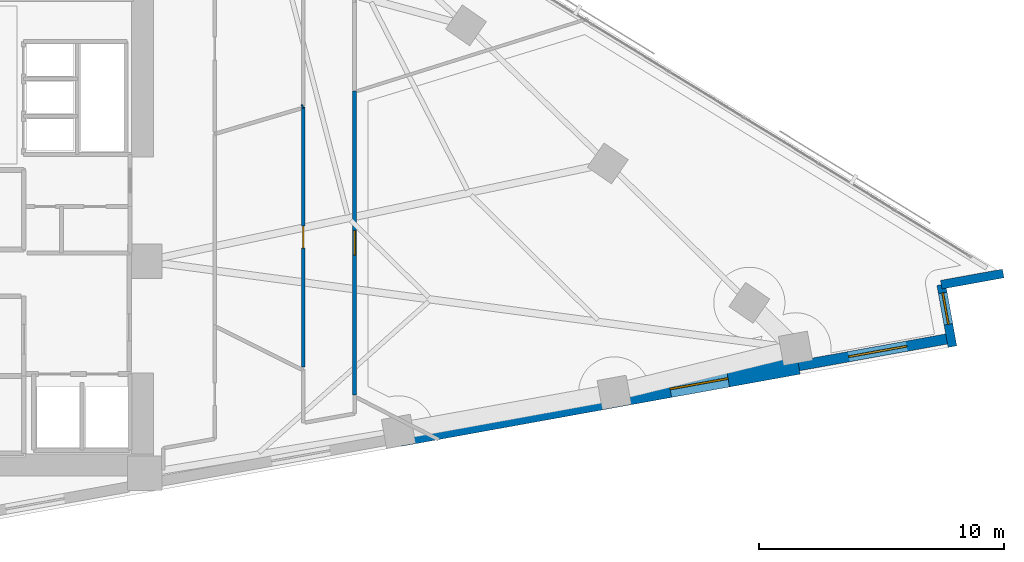
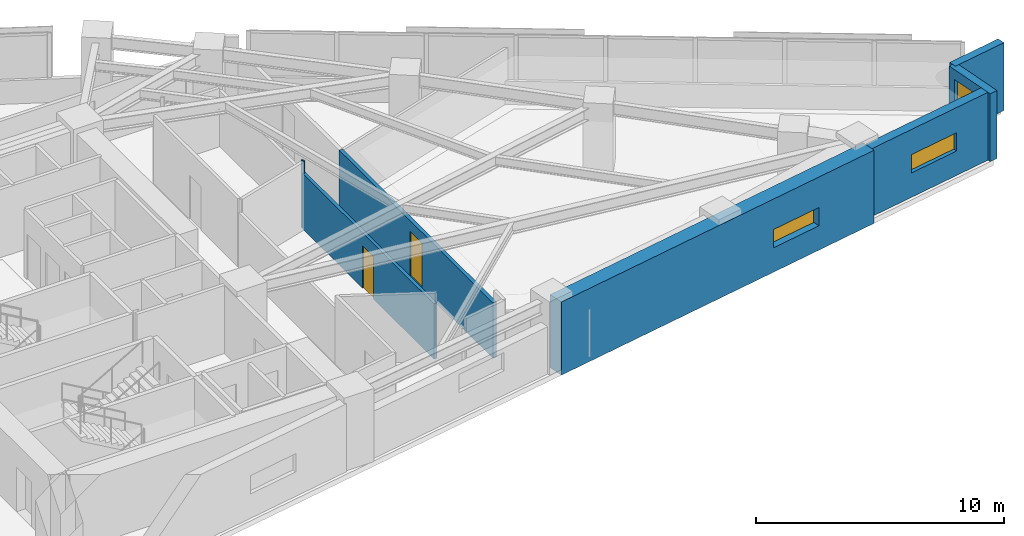
# One storey, part 16 of 19: 7 walls, 3 windows, 2 doors, 5 openings.
"""IFC4 building model written with IfcOpenShell, lengths in metres."""

from ifc_helpers import new_model, si_unit, direction, frame, frame_2d, origin, place, context, subcontext, project, spatial, rectangle, extrude, material, layer, layer_set, type_object, element, fill, save


model = new_model("IFC4")

# Units and contexts
model_context = context("Model", 3, precision=1e-05, world=origin(), true_north=direction((0.0, 1.0)))
body_context = subcontext(model_context, "Body", "Model", "MODEL_VIEW")
ifc_project = project(units=[si_unit("LENGTHUNIT", "METRE"), si_unit("AREAUNIT", "SQUARE_METRE"), si_unit("VOLUMEUNIT", "CUBIC_METRE"), si_unit("PLANEANGLEUNIT", "RADIAN"), si_unit("MASSUNIT", "GRAM", prefix="KILO")], contexts=[model_context])

# Site, building, storey
site_placement = place(None, origin())
site = spatial("IfcSite", under=ifc_project, at=site_placement, CompositionType="ELEMENT")
building_placement = place(site_placement, origin())
building = spatial("IfcBuilding", under=site, at=building_placement, Name="Narakoshi Arena Tower", CompositionType="ELEMENT")
storey_placement = place(building_placement, frame((0.0, 0.0, 117.300048828125)))
storey = spatial("IfcBuildingStorey", under=building, at=storey_placement, Name="L31", CompositionType="ELEMENT", Elevation=117.300048828125)

# Wall, opening, door
ifc_material_1 = material(Name="Gypsum plasterboard fire-rated partition")
ifc_layer_1 = layer(ifc_material_1, 0.1650390625)
ifc_layer_set_1 = layer_set([ifc_layer_1], Name="Gypsum plasterboard fire-rated partition")
wall_type_1 = type_object("IfcWallType", Name="WL-CORR-165", PredefinedType="PARTITIONING", material=ifc_layer_set_1)
wall_1_placement = place(storey_placement, frame((94.10498046875, 37.899169921875, 0.0), z_axis=(0.0, 0.0, 1.0), x_axis=(0.0, 1.0, 0.0)))
wall_1 = element("IfcWall", 1, at=wall_1_placement, inside=storey, type_object=wall_type_1, Name="L31 Corridor Partition 04-1", PredefinedType="PARTITIONING", context=body_context, shape_type="SweptSolid", body=[
    extrude(rectangle(XDim=12.382080078125, YDim=0.1650390625, at=frame_2d((6.19091796875, 0.0))), origin(), (0.0, 0.0, 1.0), 2.724853515625),
])
opening_1_placement = place(wall_1_placement, frame((5.691162109375, 0.0, 0.0)))
opening_1 = element("IfcOpeningElement", 2, at=opening_1_placement, cuts=wall_1, Name="Opening D-06", PredefinedType="OPENING", context=body_context, shape_type="SweptSolid", body=[
    extrude(rectangle(XDim=1.0, YDim=2.199951171875, at=frame_2d((0.5, 1.10009765625))), frame((0.0, 0.092529296875, 0.0), z_axis=(0.0, -1.0, 0.0), x_axis=(1.0, 0.0, 0.0)), (0.0, 0.0, 1.0), 0.18505859375),
])
ifc_material_2 = material(Name="Stained oak solid-core timber", Category="wood")
door_type_1 = type_object("IfcDoorType", Name="DR-OFF-1000", OperationType="NOTDEFINED", PredefinedType="DOOR", material=ifc_material_2)
door_1_placement = place(opening_1_placement, frame((1.0, 0.0, 0.0), z_axis=(0.0, 0.0, 1.0), x_axis=(-1.0, 0.0, 0.0)))
door_1 = element("IfcDoor", 3, at=door_1_placement, inside=storey, type_object=door_type_1, Name="DR-L31-018", OperationType="SINGLE_SWING_RIGHT", OverallHeight=2.199951171875, OverallWidth=1.0, PredefinedType="DOOR", context=body_context, shape_type="SweptSolid", body=[
    extrude(rectangle(XDim=1.0, YDim=2.199951171875, at=frame_2d((0.5, 1.10009765625))), frame((0.0, 0.02490234375, 0.0), z_axis=(0.0, -1.0, 0.0), x_axis=(1.0, 0.0, 0.0)), (0.0, 0.0, 1.0), 0.050048828125),
])
fill(opening_1, door_1)

# Wall, opening, window
ifc_material_3 = material(Name="Concrete C60/75", Category="concrete")
ifc_layer_2 = layer(ifc_material_3, 0.699951171875)
ifc_layer_set_2 = layer_set([ifc_layer_2], Name="Concrete C60/75")
wall_type_2 = type_object("IfcWallType", Name="WL-LEG-700", PredefinedType="SHEAR", material=ifc_layer_set_2)
wall_2_placement = place(storey_placement, frame((95.93798828125, 36.14599609375, -0.260009765625), z_axis=(0.0, 0.0, 1.0), x_axis=(0.984038488288, 0.177955762952, 0.0)))
wall_2 = element("IfcWall", 4, at=wall_2_placement, inside=storey, type_object=wall_type_2, Name="L31 Architectural Concrete Structural Wall LEGA-3", PredefinedType="SHEAR", context=body_context, shape_type="SweptSolid", body=[
    extrude(rectangle(XDim=16.524658203125, YDim=0.699951171875, at=frame_2d((8.26220703125, 0.0))), origin(), (0.0, 0.0, 1.0), 3.599853515625),
])
opening_2_placement = place(wall_2_placement, frame((11.199951171875, 0.0, 1.199951171875)))
opening_2 = element("IfcOpeningElement", 5, at=opening_2_placement, cuts=wall_2, Name="Opening WN-01", PredefinedType="OPENING", context=body_context, shape_type="SweptSolid", body=[
    extrude(rectangle(XDim=2.39990234375, YDim=0.89990234375, at=frame_2d((1.199951171875, 0.449951171875))), frame((0.0, 0.35986328125, 0.0), z_axis=(0.0, -1.0, 0.0), x_axis=(1.0, 0.0, 0.0)), (0.0, 0.0, 1.0), 0.719970703125),
])
ifc_material_4 = material(Name="Bronze-tinted low-E laminated glass", Category="glass")
window_type_1 = type_object("IfcWindowType", Name="WIN-SLT-24x09", PartitioningType="SINGLE_PANEL", PredefinedType="WINDOW", material=ifc_material_4)
window_1_placement = place(opening_2_placement, origin())
window_1 = element("IfcWindow", 6, at=window_1_placement, inside=storey, type_object=window_type_1, Name="L31 LEGA3 Horizontal Slot Window 1", OverallHeight=0.89990234375, OverallWidth=2.39990234375, PartitioningType="SINGLE_PANEL", PredefinedType="WINDOW", context=body_context, shape_type="SweptSolid", body=[
    extrude(rectangle(XDim=2.39990234375, YDim=0.89990234375, at=frame_2d((1.199951171875, 0.449951171875))), frame((0.0, 0.030029296875, 0.0), z_axis=(0.0, -1.0, 0.0), x_axis=(1.0, 0.0, 0.0)), (0.0, 0.0, 1.0), 0.06005859375),
])
fill(opening_2, window_1)

ifc_material_5 = material(Name="Precast concrete C45/55", Category="concrete")
ifc_layer_3 = layer(ifc_material_5, 0.419921875)
ifc_layer_set_3 = layer_set([ifc_layer_3], Name="Precast concrete C45/55")
wall_type_3 = type_object("IfcWallType", Name="WL-POD-420", PredefinedType="SOLIDWALL", material=ifc_layer_set_3)
wall_3_placement = place(storey_placement, frame((112.198974609375, 39.086669921875, 0.0), z_axis=(0.0, 0.0, 1.0), x_axis=(0.984042888215, 0.177931431042, 0.0)))
wall_3 = element("IfcWall", 7, at=wall_3_placement, inside=storey, type_object=wall_type_3, Name="L31 Architectural Concrete Facade Wall LEGA-4", PredefinedType="SOLIDWALL", context=body_context, shape_type="SweptSolid", body=[
    extrude(rectangle(XDim=6.30615234375, YDim=0.419921875, at=frame_2d((3.153076171875, 0.0))), origin(), (0.0, 0.0, 1.0), 3.33984375),
])
opening_3_placement = place(wall_3_placement, frame((2.0751953125, 0.0, 1.199951171875)))
opening_3 = element("IfcOpeningElement", 8, at=opening_3_placement, cuts=wall_3, Name="Opening WN-01", PredefinedType="OPENING", context=body_context, shape_type="SweptSolid", body=[
    extrude(rectangle(XDim=2.39990234375, YDim=0.89990234375, at=frame_2d((1.199951171875, 0.449951171875))), frame((0.0, 0.219970703125, 0.0), z_axis=(0.0, -1.0, 0.0), x_axis=(1.0, 0.0, 0.0)), (0.0, 0.0, 1.0), 0.43994140625),
])
window_2_placement = place(opening_3_placement, origin())
window_2 = element("IfcWindow", 9, at=window_2_placement, inside=storey, type_object=window_type_1, Name="L31 LEGA4 Horizontal Slot Window 1", OverallHeight=0.89990234375, OverallWidth=2.39990234375, PartitioningType="SINGLE_PANEL", PredefinedType="WINDOW", context=body_context, shape_type="SweptSolid", body=[
    extrude(rectangle(XDim=2.39990234375, YDim=0.89990234375, at=frame_2d((1.199951171875, 0.449951171875))), frame((0.0, 0.030029296875, 0.0), z_axis=(0.0, -1.0, 0.0), x_axis=(1.0, 0.0, 0.0)), (0.0, 0.0, 1.0), 0.06005859375),
])
fill(opening_3, window_2)

wall_4_placement = place(storey_placement, frame((118.466796875, 39.8642578125, 0.0), z_axis=(0.0, 0.0, 1.0), x_axis=(-0.177897493713, 0.984049024048, 0.0)))
wall_4 = element("IfcWall", 10, at=wall_4_placement, inside=storey, type_object=wall_type_3, Name="L31 Re-Entrant Corner Notch Wall NTE-1", PredefinedType="SOLIDWALL", context=body_context, shape_type="SweptSolid", body=[
    extrude(rectangle(XDim=2.56640625, YDim=0.360107421875, at=frame_2d((1.283203125, 0.0))), origin(), (0.0, 0.0, 1.0), 3.33984375),
])
opening_4_placement = place(wall_4_placement, frame((0.92626953125, 0.0, 0.449951171875)))
opening_4 = element("IfcOpeningElement", 11, at=opening_4_placement, cuts=wall_4, Name="Opening WN-06", PredefinedType="OPENING", context=body_context, shape_type="SweptSolid", body=[
    extrude(rectangle(XDim=1.300048828125, YDim=2.39990234375, at=frame_2d((0.64990234375, 1.199951171875))), frame((0.0, 0.18994140625, 0.0), z_axis=(0.0, -1.0, 0.0), x_axis=(1.0, 0.0, 0.0)), (0.0, 0.0, 1.0), 0.380126953125),
])
window_type_2 = type_object("IfcWindowType", Name="WIN-NTC-16x24", PartitioningType="SINGLE_PANEL", PredefinedType="WINDOW", material=ifc_material_4)
window_3_placement = place(opening_4_placement, origin())
window_3 = element("IfcWindow", 12, at=window_3_placement, inside=storey, type_object=window_type_2, Name="L31 Corner Notch Window NTE", OverallHeight=2.39990234375, OverallWidth=1.300048828125, PartitioningType="SINGLE_PANEL", PredefinedType="WINDOW", context=body_context, shape_type="SweptSolid", body=[
    extrude(rectangle(XDim=1.300048828125, YDim=2.39990234375, at=frame_2d((0.64990234375, 1.199951171875))), frame((0.0, 0.030029296875, 0.0), z_axis=(0.0, -1.0, 0.0), x_axis=(1.0, 0.0, 0.0)), (0.0, 0.0, 1.0), 0.06005859375),
])
fill(opening_4, window_3)

# Wall
wall_5_placement = place(storey_placement, frame((118.01025390625, 42.3896484375, 0.0), z_axis=(0.0, 0.0, 1.0), x_axis=(0.984046012923, 0.177914149102, 0.0)))
element("IfcWall", 13, at=wall_5_placement, inside=storey, type_object=wall_type_3, Name="L31 Re-Entrant Corner Notch Wall NTE-2", PredefinedType="SOLIDWALL", context=body_context, shape_type="SweptSolid", body=[
    extrude(rectangle(XDim=2.566162109375, YDim=0.360107421875, at=frame_2d((1.283203125, 0.0))), origin(), (0.0, 0.0, 1.0), 3.33984375),
])

# Wall, opening, door
ifc_material_6 = material(Name="Moisture-resistant cement-board partition")
ifc_layer_4 = layer(ifc_material_6, 0.14501953125)
ifc_layer_set_4 = layer_set([ifc_layer_4], Name="Moisture-resistant cement-board partition")
wall_type_4 = type_object("IfcWallType", Name="WL-WET-145", PredefinedType="PARTITIONING", material=ifc_layer_set_4)
wall_6_placement = place(storey_placement, frame((92.0048828125, 49.63720703125, 0.0), z_axis=(0.0, 0.0, 1.0), x_axis=(0.0, -1.0, 0.0)))
wall_6 = element("IfcWall", 14, at=wall_6_placement, inside=storey, type_object=wall_type_4, Name="L31 Corridor Partition 03-1", PredefinedType="PARTITIONING", context=body_context, shape_type="SweptSolid", body=[
    extrude(rectangle(XDim=10.61181640625, YDim=0.14501953125, at=frame_2d((5.305908203125, 0.0))), origin(), (0.0, 0.0, 1.0), 2.724853515625),
])
opening_5_placement = place(wall_6_placement, frame((4.85595703125, 0.0, 0.0)))
opening_5 = element("IfcOpeningElement", 15, at=opening_5_placement, cuts=wall_6, Name="Opening D-08", PredefinedType="OPENING", context=body_context, shape_type="SweptSolid", body=[
    extrude(rectangle(XDim=0.89990234375, YDim=2.10009765625, at=frame_2d((0.449951171875, 1.050048828125))), frame((0.0, 0.08251953125, 0.0), z_axis=(0.0, -1.0, 0.0), x_axis=(1.0, 0.0, 0.0)), (0.0, 0.0, 1.0), 0.1650390625),
])
ifc_material_7 = material(Name="Moisture-resistant laminate timber", Category="wood")
door_type_2 = type_object("IfcDoorType", Name="DR-WC-900", OperationType="NOTDEFINED", PredefinedType="DOOR", material=ifc_material_7)
door_2_placement = place(opening_5_placement, frame((0.89990234375, 0.0, 0.0), z_axis=(0.0, 0.0, 1.0), x_axis=(-1.0, 0.0, 0.0)))
door_2 = element("IfcDoor", 16, at=door_2_placement, inside=storey, type_object=door_type_2, Name="DR-L31-017", OperationType="SINGLE_SWING_RIGHT", OverallHeight=2.10009765625, OverallWidth=0.89990234375, PredefinedType="DOOR", context=body_context, shape_type="SweptSolid", body=[
    extrude(rectangle(XDim=0.89990234375, YDim=2.10009765625, at=frame_2d((0.449951171875, 1.050048828125))), frame((0.0, 0.02490234375, 0.0), z_axis=(0.0, -1.0, 0.0), x_axis=(1.0, 0.0, 0.0)), (0.0, 0.0, 1.0), 0.050048828125),
])
fill(opening_5, door_2)

# Wall
wall_7_placement = place(storey_placement, frame((92.0048828125, 49.662353515625, 0.0), z_axis=(0.0, 0.0, 1.0), x_axis=(-0.955102182504, -0.296276595389, 0.0)))
element("IfcWall", 17, at=wall_7_placement, inside=storey, type_object=wall_type_4, Name="L31 Corridor Partition 06-6", PredefinedType="PARTITIONING", context=body_context, shape_type="SweptSolid", body=[
    extrude(rectangle(XDim=0.062744140625, YDim=0.14501953125, at=frame_2d((0.03125, 0.0))), origin(), (0.0, 0.0, 1.0), 3.33984375),
])

save(model, "model.ifc")
